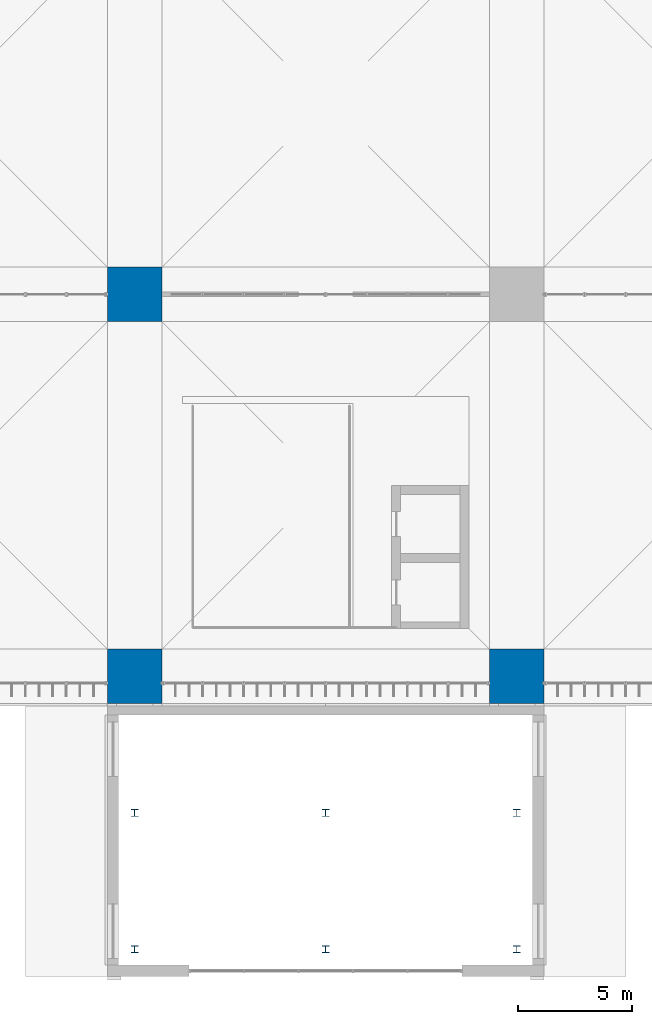
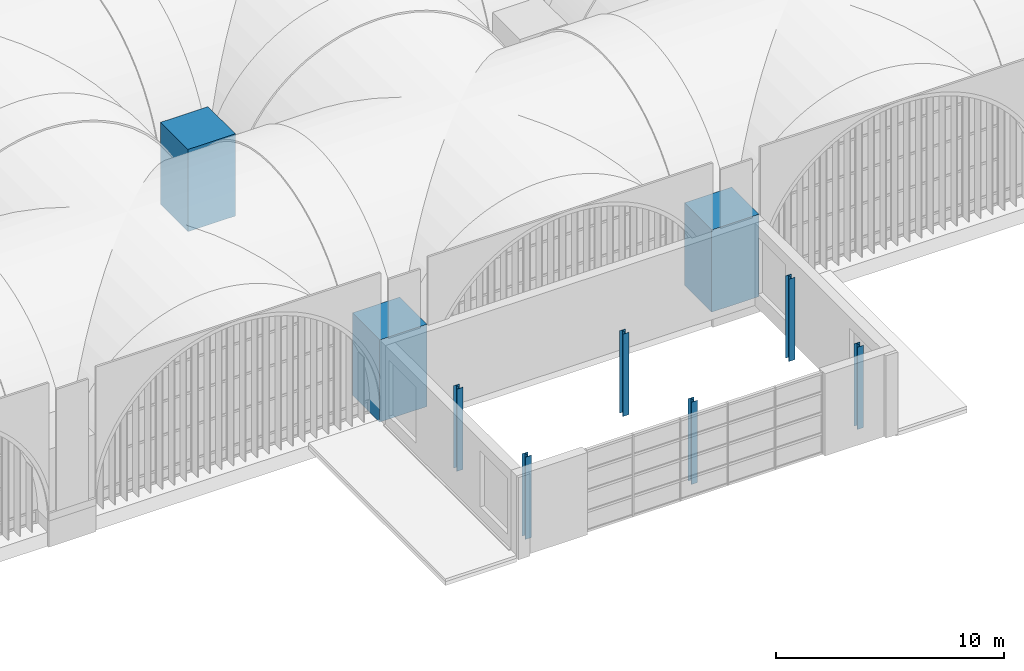
# One storey, part 5 of 169: 9 columns.
"""IFC4 building model written with IfcOpenShell, lengths in metres."""

from ifc_helpers import new_model, si_unit, direction, frame, origin, origin_2d, place, context, subcontext, project, spatial, rectangle, i_section, extrude, material, material_profile, profile_set, type_object, element, save


model = new_model("IFC4")

# Units and contexts
model_context = context("Model", 3, precision=1e-05, world=origin(), true_north=direction((0.0, 1.0)))
body_context = subcontext(model_context, "Body", "Model", "MODEL_VIEW")
ifc_project = project(units=[si_unit("LENGTHUNIT", "METRE"), si_unit("AREAUNIT", "SQUARE_METRE"), si_unit("VOLUMEUNIT", "CUBIC_METRE"), si_unit("PLANEANGLEUNIT", "RADIAN"), si_unit("MASSUNIT", "GRAM", prefix="KILO")], contexts=[model_context])

# Site, building, storey
site_placement = place(None, origin())
site = spatial("IfcSite", under=ifc_project, at=site_placement, CompositionType="ELEMENT")
building_placement = place(site_placement, origin())
building = spatial("IfcBuilding", under=site, at=building_placement, Name="Verrick Yard Athletic Hall", CompositionType="ELEMENT")
storey_placement = place(building_placement, frame((0.0, 0.0, 4.39990234375)))
storey = spatial("IfcBuildingStorey", under=building, at=storey_placement, Name="L01", CompositionType="ELEMENT", Elevation=4.39990234375)

# Columns
ifc_material_1 = material(Name="Concrete 35 MPa", Category="concrete")
ifc_material_profile_1 = material_profile(ifc_material_1, rectangle(XDim=2.39990234375, YDim=2.39990234375, at=origin_2d()), Name="STR Buttress pier PR1")
ifc_profile_set_1 = profile_set([ifc_material_profile_1], Name="Concrete 35 MPa")
column_type_1 = type_object("IfcColumnType", Name="STR Buttress pier PR1", PredefinedType="COLUMN", material=ifc_profile_set_1)
for number, where, z_axis, x_axis, name in (
    (1, (90.39990234375, 19.199951171875, 0.0), (0.0, 0.0, 1.0), (1.0, 0.0, 0.0), "Buttress pier P4A"),
    (2, (107.199951171875, 19.199951171875, 0.0), (0.0, 0.0, 1.0), (1.0, 0.0, 0.0), "Buttress pier P5A"),
    (3, (90.39990234375, 36.0, 0.0), (0.0, 0.0, 1.0), (1.0, 0.0, 0.0), "Buttress pier P4B"),
):
    element("IfcColumn", number, at=place(storey_placement, frame(where, z_axis=z_axis, x_axis=x_axis)), inside=storey, type_object=column_type_1, Name=name, PredefinedType="COLUMN", context=body_context, shape_type="SweptSolid", body=[
        extrude(rectangle(XDim=2.39990234375, YDim=2.39990234375, at=origin_2d()), origin(), (0.0, 0.0, 1.0), 4.400146484375),
    ])
ifc_material_2 = material(Name="Structural steel 350W (CSA G40.21)", Category="steel")
ifc_material_profile_2 = material_profile(ifc_material_2, i_section(OverallWidth=0.305908203125, OverallDepth=0.31103515625, WebThickness=0.010986328125, FlangeThickness=0.01708984375, at=origin_2d()), Name="W310x107")
ifc_profile_set_2 = profile_set([ifc_material_profile_2], Name="Structural steel 350W (CSA G40.21)")
column_type_2 = type_object("IfcColumnType", Name="STR Foyer column W310x107", PredefinedType="COLUMN", material=ifc_profile_set_2)
for number, where, z_axis, x_axis, name in (
    (4, (90.39990234375, 7.199951171875, 0.0), (0.0, 0.0, 1.0), (1.0, 0.0, 0.0), "Foyer column FC11"),
    (5, (90.39990234375, 13.199951171875, 0.0), (0.0, 0.0, 1.0), (1.0, 0.0, 0.0), "Foyer column FC12"),
    (6, (98.800048828125, 7.199951171875, 0.0), (0.0, 0.0, 1.0), (1.0, 0.0, 0.0), "Foyer column FC21"),
    (7, (98.800048828125, 13.199951171875, 0.0), (0.0, 0.0, 1.0), (1.0, 0.0, 0.0), "Foyer column FC22"),
    (8, (107.199951171875, 7.199951171875, 0.0), (0.0, 0.0, 1.0), (1.0, 0.0, 0.0), "Foyer column FC31"),
    (9, (107.199951171875, 13.199951171875, 0.0), (0.0, 0.0, 1.0), (1.0, 0.0, 0.0), "Foyer column FC32"),
):
    element("IfcColumn", number, at=place(storey_placement, frame(where, z_axis=z_axis, x_axis=x_axis)), inside=storey, type_object=column_type_2, Name=name, PredefinedType="COLUMN", context=body_context, shape_type="SweptSolid", body=[
        extrude(i_section(OverallWidth=0.305908203125, OverallDepth=0.31103515625, WebThickness=0.010986328125, FlangeThickness=0.01708984375, at=origin_2d()), origin(), (0.0, 0.0, 1.0), 4.400146484375),
    ])

save(model, "model.ifc")
